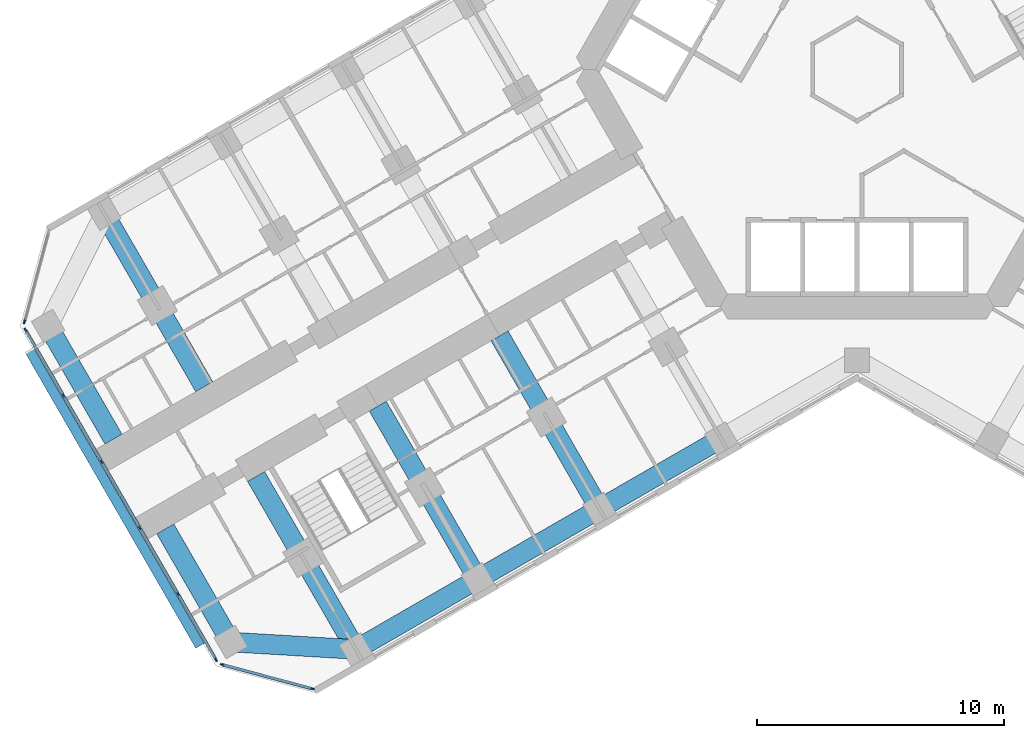
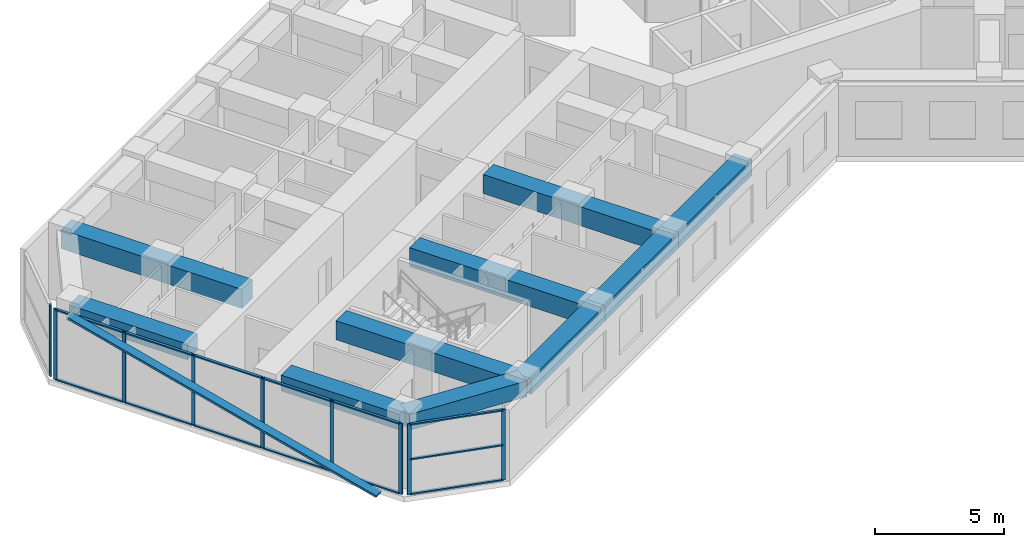
# One storey, part 2 of 21: 23 members, 10 beams, 3 elements without a shape of their own.
"""IFC4 building model written with IfcOpenShell, lengths in metres."""

from ifc_helpers import new_model, si_unit, direction, frame, origin, origin_2d, place, context, subcontext, project, spatial, rectangle, extrude, material, material_profile, profile_set, type_object, element, aggregate, save


model = new_model("IFC4")

# Units and contexts
model_context = context("Model", 3, precision=1e-05, world=origin(), true_north=direction((0.0, 1.0)))
body_context = subcontext(model_context, "Body", "Model", "MODEL_VIEW")
ifc_project = project(units=[si_unit("LENGTHUNIT", "METRE"), si_unit("AREAUNIT", "SQUARE_METRE"), si_unit("VOLUMEUNIT", "CUBIC_METRE"), si_unit("PLANEANGLEUNIT", "RADIAN"), si_unit("MASSUNIT", "GRAM", prefix="KILO")], contexts=[model_context])

# Site, building, storey
site_placement = place(None, origin())
site = spatial("IfcSite", under=ifc_project, at=site_placement, CompositionType="ELEMENT")
building_placement = place(site_placement, origin())
building = spatial("IfcBuilding", under=site, at=building_placement, Name="Kosmar Iwan School Tower", CompositionType="ELEMENT")
storey_placement = place(building_placement, frame((0.0, 0.0, 57.39990234375)))
storey = spatial("IfcBuildingStorey", under=building, at=storey_placement, Name="L13", CompositionType="ELEMENT", Elevation=57.39990234375)

# Member
ifc_material_1 = material(Name="Black anodised aluminium", Category="aluminium")
ifc_material_profile_1 = material_profile(ifc_material_1, rectangle(XDim=0.10009765625, YDim=0.39990234375, at=origin_2d()), Name="FIN 100x400")
ifc_profile_set_1 = profile_set([ifc_material_profile_1], Name="Black anodised aluminium")
member_type_1 = type_object("IfcMemberType", Name="Diagonal fin 100x400", PredefinedType="USERDEFINED", material=ifc_profile_set_1)
member_1_placement = place(storey_placement, frame((-26.645263671875, -23.34912109375, -0.14990234375), z_axis=(-0.483793446988, 0.837970316603, 0.25248692866), x_axis=(0.126241714543, -0.218661104574, 0.96760030532)))
element("IfcMember", 1, at=member_1_placement, inside=storey, type_object=member_type_1, Name="Diagonal fin L13-F13", ObjectType="FIN", PredefinedType="USERDEFINED", context=body_context, shape_type="SweptSolid", body=[
    extrude(rectangle(XDim=0.10009765625, YDim=0.39990234375, at=origin_2d()), origin(), (0.0, 0.0, 1.0), 14.258544921875),
])

# Curtain wall, member
ifc_material_2 = material(Name="Dark glass in black aluminium frame", Category="aluminium")
curtain_wall_type_1 = type_object("IfcCurtainWallType", Name="Chamfer curtain wall dark glass", PredefinedType="USERDEFINED", material=ifc_material_2)
curtain_wall_1_placement = place(storey_placement, origin())
curtain_wall_1 = element("IfcCurtainWall", 2, at=curtain_wall_1_placement, inside=storey, type_object=curtain_wall_type_1, Name="Curtain wall L13-F12", ObjectType="FACETED CURTAIN WALL", PredefinedType="USERDEFINED")
ifc_material_3 = material(Name="Black anodised aluminium", Category="aluminium")
ifc_material_profile_2 = material_profile(ifc_material_3, rectangle(XDim=0.06005859375, YDim=0.159912109375, at=origin_2d()), Name="MULLION 60x160")
ifc_profile_set_2 = profile_set([ifc_material_profile_2], Name="Black anodised aluminium")
member_type_2 = type_object("IfcMemberType", Name="Mullion 60x160", PredefinedType="MULLION", material=ifc_profile_set_2)
member_2_placement = place(storey_placement, frame((-33.7587890625, -10.2236328125, 0.0), z_axis=(0.0, 0.0, 1.0), x_axis=(0.965925875495, -0.258818861462, 0.0)))
member_2 = element("IfcMember", 3, at=member_2_placement, type_object=member_type_2, Name="CW2 mullion 2", PredefinedType="MULLION", context=body_context, shape_type="SweptSolid", body=[
    extrude(rectangle(XDim=0.06005859375, YDim=0.159912109375, at=origin_2d()), origin(), (0.0, 0.0, 1.0), 3.35009765625),
])
aggregate(curtain_wall_1, [member_2])

# Curtain wall, members
ifc_material_4 = material(Name="Dark glass in black aluminium frame", Category="aluminium")
curtain_wall_type_2 = type_object("IfcCurtainWallType", Name="Tower curtain wall dark glass", PredefinedType="USERDEFINED", material=ifc_material_4)
curtain_wall_2_placement = place(storey_placement, origin())
curtain_wall_2 = element("IfcCurtainWall", 4, at=curtain_wall_2_placement, inside=storey, type_object=curtain_wall_type_2, Name="Curtain wall L13-F13", ObjectType="UNITISED CURTAIN WALL", PredefinedType="USERDEFINED")
member_3_placement = place(storey_placement, frame((-33.71533203125, -10.55322265625, 0.0), z_axis=(0.0, 0.0, 1.0), x_axis=(0.866025405329, 0.499999997325, 0.0)))
member_3 = element("IfcMember", 5, at=member_3_placement, type_object=member_type_2, Name="CW1 mullion 1", PredefinedType="MULLION", context=body_context, shape_type="SweptSolid", body=[
    extrude(rectangle(XDim=0.06005859375, YDim=0.159912109375, at=origin_2d()), origin(), (0.0, 0.0, 1.0), 3.35009765625),
])
member_4_placement = place(storey_placement, frame((-32.1806640625, -13.21142578125, 0.0), z_axis=(0.0, 0.0, 1.0), x_axis=(0.866025405329, 0.499999997325, 0.0)))
member_4 = element("IfcMember", 6, at=member_4_placement, type_object=member_type_2, Name="CW1 mullion 2", PredefinedType="MULLION", context=body_context, shape_type="SweptSolid", body=[
    extrude(rectangle(XDim=0.06005859375, YDim=0.159912109375, at=origin_2d()), origin(), (0.0, 0.0, 1.0), 3.35009765625),
])
member_5_placement = place(storey_placement, frame((-30.631103515625, -15.8955078125, 0.0), z_axis=(0.0, 0.0, 1.0), x_axis=(0.866025405329, 0.499999997325, 0.0)))
member_5 = element("IfcMember", 7, at=member_5_placement, type_object=member_type_2, Name="CW1 mullion 3", PredefinedType="MULLION", context=body_context, shape_type="SweptSolid", body=[
    extrude(rectangle(XDim=0.06005859375, YDim=0.159912109375, at=origin_2d()), origin(), (0.0, 0.0, 1.0), 3.35009765625),
])
member_6_placement = place(storey_placement, frame((-29.081298828125, -18.57958984375, 0.0), z_axis=(0.0, 0.0, 1.0), x_axis=(0.866025405329, 0.499999997325, 0.0)))
member_6 = element("IfcMember", 8, at=member_6_placement, type_object=member_type_2, Name="CW1 mullion 4", PredefinedType="MULLION", context=body_context, shape_type="SweptSolid", body=[
    extrude(rectangle(XDim=0.06005859375, YDim=0.159912109375, at=origin_2d()), origin(), (0.0, 0.0, 1.0), 3.35009765625),
])
member_7_placement = place(storey_placement, frame((-27.53173828125, -21.263671875, 0.0), z_axis=(0.0, 0.0, 1.0), x_axis=(0.866025405329, 0.499999997325, 0.0)))
member_7 = element("IfcMember", 9, at=member_7_placement, type_object=member_type_2, Name="CW1 mullion 5", PredefinedType="MULLION", context=body_context, shape_type="SweptSolid", body=[
    extrude(rectangle(XDim=0.06005859375, YDim=0.159912109375, at=origin_2d()), origin(), (0.0, 0.0, 1.0), 3.35009765625),
])
member_8_placement = place(storey_placement, frame((-25.9970703125, -23.921630859375, 0.0), z_axis=(0.0, 0.0, 1.0), x_axis=(0.866025405329, 0.499999997325, 0.0)))
member_8 = element("IfcMember", 10, at=member_8_placement, type_object=member_type_2, Name="CW1 mullion 6", PredefinedType="MULLION", context=body_context, shape_type="SweptSolid", body=[
    extrude(rectangle(XDim=0.06005859375, YDim=0.159912109375, at=origin_2d()), origin(), (0.0, 0.0, 1.0), 3.35009765625),
])

curtain_wall_3_placement = place(storey_placement, origin())
curtain_wall_3 = element("IfcCurtainWall", 11, at=curtain_wall_3_placement, inside=storey, type_object=curtain_wall_type_1, Name="Curtain wall L13-F14", ObjectType="FACETED CURTAIN WALL", PredefinedType="USERDEFINED")
member_9_placement = place(storey_placement, frame((-25.733154296875, -24.124267578125, 0.0), z_axis=(0.0, 0.0, 1.0), x_axis=(0.258818861462, 0.965925875495, 0.0)))
member_9 = element("IfcMember", 12, at=member_9_placement, type_object=member_type_2, Name="CW2 mullion 1", PredefinedType="MULLION", context=body_context, shape_type="SweptSolid", body=[
    extrude(rectangle(XDim=0.06005859375, YDim=0.159912109375, at=origin_2d()), origin(), (0.0, 0.0, 1.0), 3.35009765625),
])
member_10_placement = place(storey_placement, frame((-22.0830078125, -25.102294921875, 0.0), z_axis=(0.0, 0.0, 1.0), x_axis=(0.258818861462, 0.965925875495, 0.0)))
member_10 = element("IfcMember", 13, at=member_10_placement, type_object=member_type_2, Name="CW2 mullion 2", PredefinedType="MULLION", context=body_context, shape_type="SweptSolid", body=[
    extrude(rectangle(XDim=0.06005859375, YDim=0.159912109375, at=origin_2d()), origin(), (0.0, 0.0, 1.0), 3.35009765625),
])

# Beams
ifc_material_5 = material(Name="Concrete C50/60", Category="concrete")
ifc_material_profile_3 = material_profile(ifc_material_5, rectangle(XDim=0.800048828125, YDim=0.75, at=origin_2d()), Name="RC 800x750")
ifc_profile_set_3 = profile_set([ifc_material_profile_3], Name="Concrete C50/60")
beam_type_1 = type_object("IfcBeamType", Name="RC edge beam 800x750", PredefinedType="BEAM", material=ifc_profile_set_3)
beam_1_placement = place(storey_placement, frame((-5.5087890625, -14.95849609375, 2.97509765625), z_axis=(-0.866033658841, -0.49998570155, 0.0), x_axis=(0.49998570155, -0.866033658841, 0.0)))
element("IfcBeam", 14, at=beam_1_placement, inside=storey, type_object=beam_type_1, Name="Edge beam BL2", PredefinedType="BEAM", context=body_context, shape_type="SweptSolid", body=[
    extrude(rectangle(XDim=0.800048828125, YDim=0.75, at=origin_2d()), origin(), (0.0, 0.0, 1.0), 5.699951171875),
])
beam_2_placement = place(storey_placement, frame((-10.445068359375, -17.808349609375, 2.97509765625), z_axis=(-0.866025820012, -0.499999279071, 0.0), x_axis=(0.499999279071, -0.866025820012, 0.0)))
element("IfcBeam", 15, at=beam_2_placement, inside=storey, type_object=beam_type_1, Name="Edge beam BL3", PredefinedType="BEAM", context=body_context, shape_type="SweptSolid", body=[
    extrude(rectangle(XDim=0.800048828125, YDim=0.75, at=origin_2d()), origin(), (0.0, 0.0, 1.0), 5.7001953125),
])
beam_3_placement = place(storey_placement, frame((-15.381591796875, -20.658447265625, 2.97509765625), z_axis=(-0.866015111908, -0.50001782563, 0.0), x_axis=(0.50001782563, -0.866015111908, 0.0)))
element("IfcBeam", 16, at=beam_3_placement, inside=storey, type_object=beam_type_1, Name="Edge beam BL4", PredefinedType="BEAM", context=body_context, shape_type="SweptSolid", body=[
    extrude(rectangle(XDim=0.800048828125, YDim=0.75, at=origin_2d()), origin(), (0.0, 0.0, 1.0), 5.699951171875),
])
ifc_material_6 = material(Name="Concrete C50/60", Category="concrete")
ifc_material_profile_4 = material_profile(ifc_material_6, rectangle(XDim=0.800048828125, YDim=0.75, at=origin_2d()), Name="RC 800x750")
ifc_profile_set_4 = profile_set([ifc_material_profile_4], Name="Concrete C50/60")
beam_type_2 = type_object("IfcBeamType", Name="RC tip beam 800x750", PredefinedType="BEAM", material=ifc_profile_set_4)
beam_4_placement = place(storey_placement, frame((-20.31787109375, -23.508544921875, 2.97509765625), z_axis=(-0.998260616478, 0.058955420358, 0.0), x_axis=(-0.058955420358, -0.998260616478, 0.0)))
element("IfcBeam", 17, at=beam_4_placement, inside=storey, type_object=beam_type_2, Name="Tip beam BL", PredefinedType="BEAM", context=body_context, shape_type="SweptSolid", body=[
    extrude(rectangle(XDim=0.800048828125, YDim=0.75, at=origin_2d()), origin(), (0.0, 0.0, 1.0), 5.08935546875),
])
beam_5_placement = place(storey_placement, frame((-25.3984375, -23.20849609375, 2.97509765625), z_axis=(-0.499993606316, 0.866029095148, 0.0), x_axis=(-0.866029095148, -0.499993606316, 0.0)))
element("IfcBeam", 18, at=beam_5_placement, inside=storey, type_object=beam_type_2, Name="Tip beam BL to corridor wall", PredefinedType="BEAM", context=body_context, shape_type="SweptSolid", body=[
    extrude(rectangle(XDim=0.800048828125, YDim=0.75, at=origin_2d()), origin(), (0.0, 0.0, 1.0), 5.2998046875),
])
beam_6_placement = place(storey_placement, frame((-32.79833984375, -10.391357421875, 2.97509765625), z_axis=(0.499973660256, -0.866040610509, 0.0), x_axis=(0.866040610509, 0.499973660256, 0.0)))
element("IfcBeam", 19, at=beam_6_placement, inside=storey, type_object=beam_type_2, Name="Tip beam BR to corridor wall", PredefinedType="BEAM", context=body_context, shape_type="SweptSolid", body=[
    extrude(rectangle(XDim=0.800048828125, YDim=0.75, at=origin_2d()), origin(), (0.0, 0.0, 1.0), 5.300048828125),
])
ifc_material_7 = material(Name="Concrete C50/60", Category="concrete")
ifc_material_profile_5 = material_profile(ifc_material_7, rectangle(XDim=0.800048828125, YDim=0.89990234375, at=origin_2d()), Name="RC 800x900")
ifc_profile_set_5 = profile_set([ifc_material_profile_5], Name="Concrete C50/60")
beam_type_3 = type_object("IfcBeamType", Name="RC transverse beam 800x900", PredefinedType="BEAM", material=ifc_profile_set_5)
beam_7_placement = place(storey_placement, frame((-10.445068359375, -17.808349609375, 2.900146484375), z_axis=(-0.500012932018, 0.866017937352, 0.0), x_axis=(-0.866017937352, -0.500012932018, 0.0)))
element("IfcBeam", 20, at=beam_7_placement, inside=storey, type_object=beam_type_3, Name="Transverse beam BL2", PredefinedType="BEAM", context=body_context, shape_type="SweptSolid", body=[
    extrude(rectangle(XDim=0.800048828125, YDim=0.89990234375, at=origin_2d()), origin(), (0.0, 0.0, 1.0), 8.099853515625),
])
for number, where, z_axis, x_axis, name in (
    (21, (-15.381591796875, -20.658447265625, 2.900146484375), (-0.499977274689, 0.866038523851, 0.0), (-0.866038523851, -0.499977274689, 0.0), "Transverse beam BL3"),
    (22, (-20.31787109375, -23.508544921875, 2.900146484375), (-0.499999880539, 0.866025472755, 0.0), (-0.866025472755, -0.499999880539, 0.0), "Transverse beam BL4"),
    (23, (-30.517822265625, -5.841552734375, 2.900146484375), (0.499999880539, -0.866025472755, 0.0), (0.866025472755, 0.499999880539, 0.0), "Transverse beam BR4"),
):
    element("IfcBeam", number, at=place(storey_placement, frame(where, z_axis=z_axis, x_axis=x_axis)), inside=storey, type_object=beam_type_3, Name=name, PredefinedType="BEAM", context=body_context, shape_type="SweptSolid", body=[
        extrude(rectangle(XDim=0.800048828125, YDim=0.89990234375, at=origin_2d()), origin(), (0.0, 0.0, 1.0), 8.10009765625),
    ])

# Member
ifc_material_8 = material(Name="Black anodised aluminium", Category="aluminium")
ifc_material_profile_6 = material_profile(ifc_material_8, rectangle(XDim=0.1201171875, YDim=0.06005859375, at=origin_2d()), Name="TRANSOM 60x120")
ifc_profile_set_6 = profile_set([ifc_material_profile_6], Name="Black anodised aluminium")
member_type_3 = type_object("IfcMemberType", Name="Transom 60x120", PredefinedType="USERDEFINED", material=ifc_profile_set_6)
member_11_placement = place(storey_placement, frame((-33.700439453125, -10.579345703125, 0.030029296875), z_axis=(0.500022102064, -0.866012642776, 0.0), x_axis=(0.866012642776, 0.500022102064, 0.0)))
member_11 = element("IfcMember", 24, at=member_11_placement, type_object=member_type_3, Name="CW1 transom 1.1", ObjectType="TRANSOM", PredefinedType="USERDEFINED", context=body_context, shape_type="SweptSolid", body=[
    extrude(rectangle(XDim=0.1201171875, YDim=0.06005859375, at=origin_2d()), origin(), (0.0, 0.0, 1.0), 3.009033203125),
])

member_12_placement = place(storey_placement, frame((-33.700439453125, -10.579345703125, 3.320068359375), z_axis=(0.500022102064, -0.866012642776, 0.0), x_axis=(0.866012642776, 0.500022102064, 0.0)))
member_12 = element("IfcMember", 25, at=member_12_placement, type_object=member_type_3, Name="CW1 transom 1.2", ObjectType="TRANSOM", PredefinedType="USERDEFINED", context=body_context, shape_type="SweptSolid", body=[
    extrude(rectangle(XDim=0.1201171875, YDim=0.06005859375, at=origin_2d()), origin(), (0.0, 0.0, 1.0), 3.009033203125),
])

member_13_placement = place(storey_placement, frame((-32.165771484375, -13.2373046875, 0.030029296875), z_axis=(0.500035348339, -0.866004994449, 0.0), x_axis=(0.866004994449, 0.500035348339, 0.0)))
member_13 = element("IfcMember", 26, at=member_13_placement, type_object=member_type_3, Name="CW1 transom 2.1", ObjectType="TRANSOM", PredefinedType="USERDEFINED", context=body_context, shape_type="SweptSolid", body=[
    extrude(rectangle(XDim=0.1201171875, YDim=0.06005859375, at=origin_2d()), origin(), (0.0, 0.0, 1.0), 3.039306640625),
])

member_14_placement = place(storey_placement, frame((-32.165771484375, -13.2373046875, 3.320068359375), z_axis=(0.500035348339, -0.866004994449, 0.0), x_axis=(0.866004994449, 0.500035348339, 0.0)))
member_14 = element("IfcMember", 27, at=member_14_placement, type_object=member_type_3, Name="CW1 transom 2.2", ObjectType="TRANSOM", PredefinedType="USERDEFINED", context=body_context, shape_type="SweptSolid", body=[
    extrude(rectangle(XDim=0.1201171875, YDim=0.06005859375, at=origin_2d()), origin(), (0.0, 0.0, 1.0), 3.039306640625),
])

member_15_placement = place(storey_placement, frame((-30.615966796875, -15.92138671875, 0.030029296875), z_axis=(0.499975102327, -0.866039777986, 0.0), x_axis=(0.866039777986, 0.499975102327, 0.0)))
member_15 = element("IfcMember", 28, at=member_15_placement, type_object=member_type_3, Name="CW1 transom 3.1", ObjectType="TRANSOM", PredefinedType="USERDEFINED", context=body_context, shape_type="SweptSolid", body=[
    extrude(rectangle(XDim=0.1201171875, YDim=0.06005859375, at=origin_2d()), origin(), (0.0, 0.0, 1.0), 3.039306640625),
])

member_16_placement = place(storey_placement, frame((-30.615966796875, -15.92138671875, 3.320068359375), z_axis=(0.499975102327, -0.866039777986, 0.0), x_axis=(0.866039777986, 0.499975102327, 0.0)))
member_16 = element("IfcMember", 29, at=member_16_placement, type_object=member_type_3, Name="CW1 transom 3.2", ObjectType="TRANSOM", PredefinedType="USERDEFINED", context=body_context, shape_type="SweptSolid", body=[
    extrude(rectangle(XDim=0.1201171875, YDim=0.06005859375, at=origin_2d()), origin(), (0.0, 0.0, 1.0), 3.039306640625),
])

member_17_placement = place(storey_placement, frame((-29.06640625, -18.60546875, 0.030029296875), z_axis=(0.499975102327, -0.866039777986, 0.0), x_axis=(0.866039777986, 0.499975102327, 0.0)))
member_17 = element("IfcMember", 30, at=member_17_placement, type_object=member_type_3, Name="CW1 transom 4.1", ObjectType="TRANSOM", PredefinedType="USERDEFINED", context=body_context, shape_type="SweptSolid", body=[
    extrude(rectangle(XDim=0.1201171875, YDim=0.06005859375, at=origin_2d()), origin(), (0.0, 0.0, 1.0), 3.039306640625),
])

member_18_placement = place(storey_placement, frame((-29.06640625, -18.60546875, 3.320068359375), z_axis=(0.499975102327, -0.866039777986, 0.0), x_axis=(0.866039777986, 0.499975102327, 0.0)))
member_18 = element("IfcMember", 31, at=member_18_placement, type_object=member_type_3, Name="CW1 transom 4.2", ObjectType="TRANSOM", PredefinedType="USERDEFINED", context=body_context, shape_type="SweptSolid", body=[
    extrude(rectangle(XDim=0.1201171875, YDim=0.06005859375, at=origin_2d()), origin(), (0.0, 0.0, 1.0), 3.039306640625),
])

member_19_placement = place(storey_placement, frame((-27.516845703125, -21.28955078125, 0.030029296875), z_axis=(0.499986971506, -0.866032925658, 0.0), x_axis=(0.866032925658, 0.499986971506, 0.0)))
member_19 = element("IfcMember", 32, at=member_19_placement, type_object=member_type_3, Name="CW1 transom 5.1", ObjectType="TRANSOM", PredefinedType="USERDEFINED", context=body_context, shape_type="SweptSolid", body=[
    extrude(rectangle(XDim=0.1201171875, YDim=0.06005859375, at=origin_2d()), origin(), (0.0, 0.0, 1.0), 3.00927734375),
])

member_20_placement = place(storey_placement, frame((-27.516845703125, -21.28955078125, 3.320068359375), z_axis=(0.499986971506, -0.866032925658, 0.0), x_axis=(0.866032925658, 0.499986971506, 0.0)))
member_20 = element("IfcMember", 33, at=member_20_placement, type_object=member_type_3, Name="CW1 transom 5.2", ObjectType="TRANSOM", PredefinedType="USERDEFINED", context=body_context, shape_type="SweptSolid", body=[
    extrude(rectangle(XDim=0.1201171875, YDim=0.06005859375, at=origin_2d()), origin(), (0.0, 0.0, 1.0), 3.00927734375),
])

aggregate(curtain_wall_2, [member_3, member_4, member_5, member_6, member_7, member_8, member_11, member_12, member_13, member_14, member_15, member_16, member_17, member_18, member_19, member_20])

member_21_placement = place(storey_placement, frame((-25.704345703125, -24.1318359375, 0.030029296875), z_axis=(0.965923731726, -0.258826861991, 0.0), x_axis=(0.258826861991, 0.965923731726, 0.0)))
member_21 = element("IfcMember", 34, at=member_21_placement, type_object=member_type_3, Name="CW2 transom 1.1", ObjectType="TRANSOM", PredefinedType="USERDEFINED", context=body_context, shape_type="SweptSolid", body=[
    extrude(rectangle(XDim=0.1201171875, YDim=0.06005859375, at=origin_2d()), origin(), (0.0, 0.0, 1.0), 3.71923828125),
])

member_22_placement = place(storey_placement, frame((-25.704345703125, -24.1318359375, 1.675048828125), z_axis=(0.965923731726, -0.258826861991, 0.0), x_axis=(0.258826861991, 0.965923731726, 0.0)))
member_22 = element("IfcMember", 35, at=member_22_placement, type_object=member_type_3, Name="CW2 transom 1.2", ObjectType="TRANSOM", PredefinedType="USERDEFINED", context=body_context, shape_type="SweptSolid", body=[
    extrude(rectangle(XDim=0.1201171875, YDim=0.06005859375, at=origin_2d()), origin(), (0.0, 0.0, 1.0), 3.71923828125),
])

member_23_placement = place(storey_placement, frame((-25.704345703125, -24.1318359375, 3.320068359375), z_axis=(0.965923731726, -0.258826861991, 0.0), x_axis=(0.258826861991, 0.965923731726, 0.0)))
member_23 = element("IfcMember", 36, at=member_23_placement, type_object=member_type_3, Name="CW2 transom 1.3", ObjectType="TRANSOM", PredefinedType="USERDEFINED", context=body_context, shape_type="SweptSolid", body=[
    extrude(rectangle(XDim=0.1201171875, YDim=0.06005859375, at=origin_2d()), origin(), (0.0, 0.0, 1.0), 3.71923828125),
])

aggregate(curtain_wall_3, [member_9, member_10, member_21, member_22, member_23])

save(model, "model.ifc")
